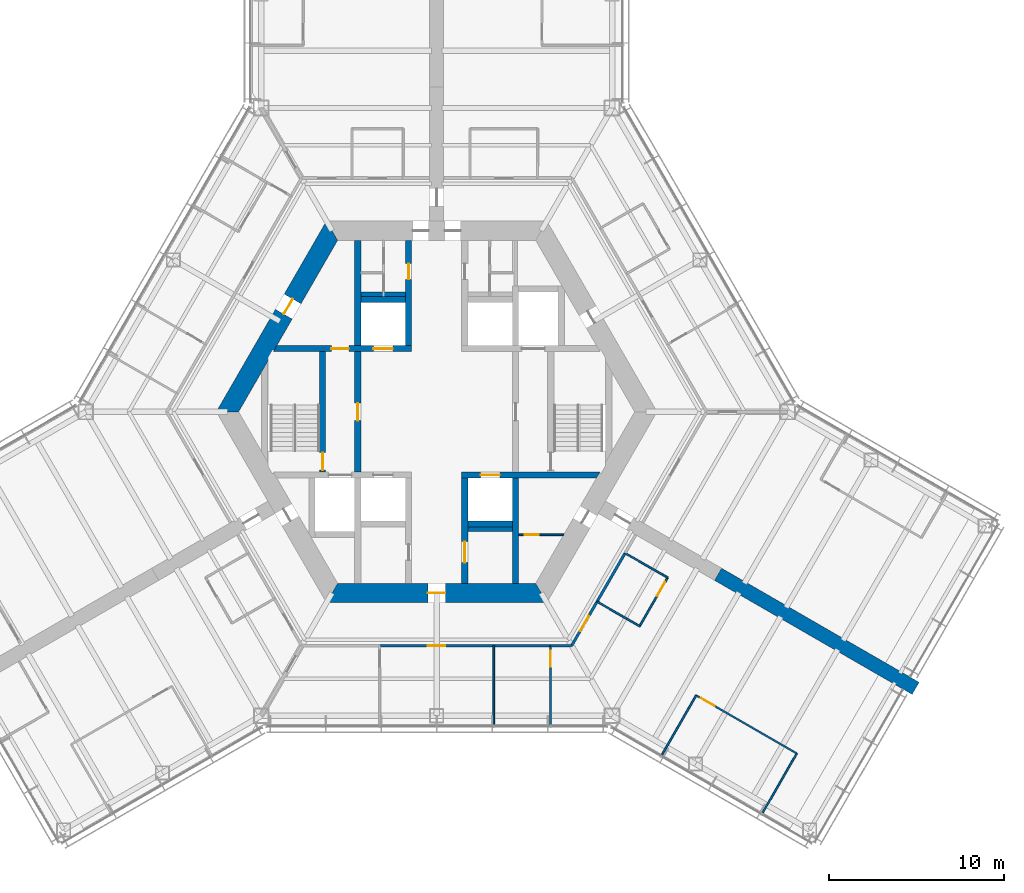
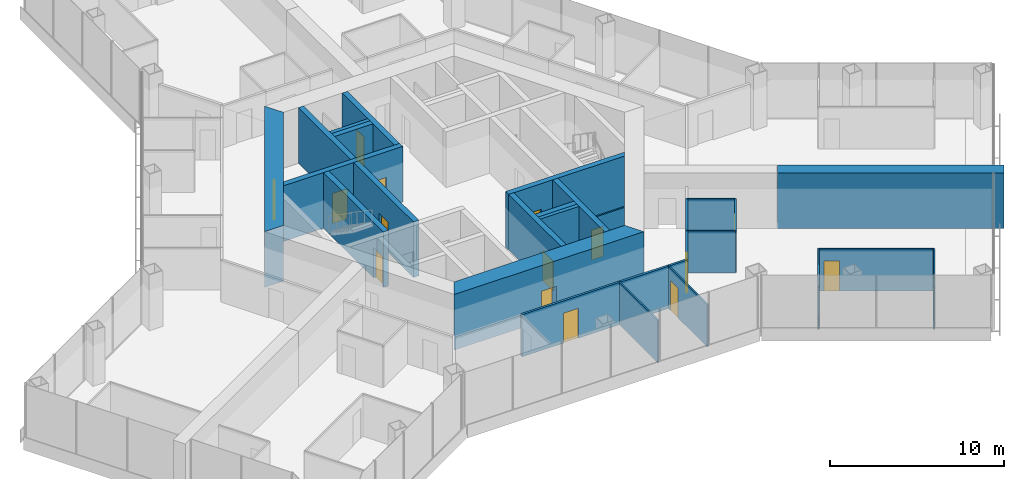
# One storey, part 13 of 19: 29 walls, 15 doors, 15 openings.
"""IFC4 building model written with IfcOpenShell, lengths in metres."""

from ifc_helpers import new_model, si_unit, direction, frame, frame_2d, origin, place, context, subcontext, project, spatial, polyline, rectangle, outline, extrude, material, layer, layer_set, type_object, element, fill, save


model = new_model("IFC4")

# Units and contexts
model_context = context("Model", 3, precision=1e-05, world=origin(), true_north=direction((0.0, 1.0)))
body_context = subcontext(model_context, "Body", "Model", "MODEL_VIEW")
ifc_project = project(units=[si_unit("LENGTHUNIT", "METRE"), si_unit("AREAUNIT", "SQUARE_METRE"), si_unit("VOLUMEUNIT", "CUBIC_METRE"), si_unit("PLANEANGLEUNIT", "RADIAN"), si_unit("MASSUNIT", "GRAM", prefix="KILO")], contexts=[model_context])

# Site, building, storey
site_placement = place(None, origin())
site = spatial("IfcSite", under=ifc_project, at=site_placement, CompositionType="ELEMENT")
building_placement = place(site_placement, origin())
building = spatial("IfcBuilding", under=site, at=building_placement, Name="Kasaneha Research Tower", CompositionType="ELEMENT")
storey_placement = place(building_placement, frame((0.0, 0.0, 88.5)))
storey = spatial("IfcBuildingStorey", under=building, at=storey_placement, Name="L22", CompositionType="ELEMENT", Elevation=88.5)

# Wall, openings, doors
ifc_material_1 = material(Name="Concrete Fc80", Category="concrete")
ifc_layer_1 = layer(ifc_material_1, 0.35009765625)
ifc_layer_set_1 = layer_set([ifc_layer_1], Name="Core internal wall 350 Fc80")
wall_type_1 = type_object("IfcWallType", Name="Core internal wall 350 Fc80", PredefinedType="SHEAR", material=ifc_layer_set_1)
wall_1_placement = place(storey_placement, frame((-9.208740234375, 3.60009765625, 0.0), z_axis=(0.0, 0.0, 1.0), x_axis=(1.0, 0.0, 0.0)))
wall_1 = element("IfcWall", 1, at=wall_1_placement, inside=storey, type_object=wall_type_1, Name="Core wall W1W L22", PredefinedType="SHEAR", context=body_context, shape_type="SweptSolid", body=[
    extrude(outline(polyline([(-0.10107421875, -0.175048828125), (3.208740234375, -0.175048828125), (4.208740234375, -0.175048828125), (5.608642578125, -0.175048828125), (6.708740234375, -0.175048828125), (7.78369140625, -0.175048828125), (7.78369140625, 0.175048828125), (6.708740234375, 0.175048828125), (5.608642578125, 0.175048828125), (4.208740234375, 0.175048828125), (3.208740234375, 0.175048828125), (0.10107421875, 0.175048828125), (-0.10107421875, -0.175048828125)])), origin(), (0.0, 0.0, 1.0), 3.89990234375),
])
opening_1_placement = place(wall_1_placement, frame((3.208740234375, 0.0, 0.0)))
opening_1 = element("IfcOpeningElement", 2, at=opening_1_placement, cuts=wall_1, Name="Opening L22-D12", PredefinedType="OPENING", context=body_context, shape_type="SweptSolid", body=[
    extrude(rectangle(XDim=1.0, YDim=2.10009765625, at=frame_2d((0.5, 1.050048828125))), frame((0.0, 0.18505859375, 0.0), z_axis=(0.0, -1.0, 0.0), x_axis=(1.0, 0.0, 0.0)), (0.0, 0.0, 1.0), 0.3701171875),
])
opening_2_placement = place(wall_1_placement, frame((5.608642578125, 0.0, 0.0)))
opening_2 = element("IfcOpeningElement", 3, at=opening_2_placement, cuts=wall_1, Name="Opening LD-LO1-L22", PredefinedType="OPENING", context=body_context, shape_type="SweptSolid", body=[
    extrude(rectangle(XDim=1.10009765625, YDim=2.10009765625, at=frame_2d((0.550048828125, 1.050048828125))), frame((0.0, 0.18505859375, 0.0), z_axis=(0.0, -1.0, 0.0), x_axis=(1.0, 0.0, 0.0)), (0.0, 0.0, 1.0), 0.3701171875),
])
ifc_material_2 = material(Name="Steel", Category="steel")
door_type_1 = type_object("IfcDoorType", Name="Lift landing door 1100x2100", OperationType="DOUBLE_DOOR_SLIDING", PredefinedType="DOOR", material=ifc_material_2)
door_1_placement = place(opening_2_placement, origin())
door_1 = element("IfcDoor", 4, at=door_1_placement, inside=storey, type_object=door_type_1, Name="Landing door LO1 LD-LO1-L22", OperationType="DOUBLE_DOOR_SLIDING", OverallHeight=2.10009765625, OverallWidth=1.10009765625, PredefinedType="DOOR", context=body_context, shape_type="SweptSolid", body=[
    extrude(rectangle(XDim=1.10009765625, YDim=2.10009765625, at=frame_2d((0.550048828125, 1.050048828125))), frame((0.0, 0.02490234375, 0.0), z_axis=(0.0, -1.0, 0.0), x_axis=(1.0, 0.0, 0.0)), (0.0, 0.0, 1.0), 0.050048828125),
])
fill(opening_2, door_1)
ifc_material_3 = material(Name="Steel", Category="steel")
door_type_2 = type_object("IfcDoorType", Name="Specified fire door FD60 1000x2100", OperationType="NOTDEFINED", PredefinedType="DOOR", material=ifc_material_3)
door_2_placement = place(opening_1_placement, origin())
door_2 = element("IfcDoor", 5, at=door_2_placement, inside=storey, type_object=door_type_2, Name="Vestibule to lobby door L22-D12", OperationType="SINGLE_SWING_RIGHT", OverallHeight=2.10009765625, OverallWidth=1.0, PredefinedType="DOOR", context=body_context, shape_type="SweptSolid", body=[
    extrude(rectangle(XDim=1.0, YDim=2.10009765625, at=frame_2d((0.5, 1.050048828125))), frame((0.0, 0.02490234375, 0.0), z_axis=(0.0, -1.0, 0.0), x_axis=(1.0, 0.0, 0.0)), (0.0, 0.0, 1.0), 0.050048828125),
])
fill(opening_1, door_2)

# Wall, opening, door
wall_2_placement = place(storey_placement, frame((1.425048828125, -3.60009765625, 0.0), z_axis=(0.0, 0.0, 1.0), x_axis=(1.0, 0.0, 0.0)))
wall_2 = element("IfcWall", 6, at=wall_2_placement, inside=storey, type_object=wall_type_1, Name="Core wall W2E L22", PredefinedType="SHEAR", context=body_context, shape_type="SweptSolid", body=[
    extrude(outline(polyline([(0.0, -0.175048828125), (1.074951171875, -0.175048828125), (2.175048828125, -0.175048828125), (7.6826171875, -0.175048828125), (7.884765625, 0.175048828125), (2.175048828125, 0.175048828125), (1.074951171875, 0.175048828125), (0.0, 0.175048828125), (0.0, -0.175048828125)])), origin(), (0.0, 0.0, 1.0), 3.89990234375),
])
opening_3_placement = place(wall_2_placement, frame((1.074951171875, 0.0, 0.0)))
opening_3 = element("IfcOpeningElement", 7, at=opening_3_placement, cuts=wall_2, Name="Opening LD-LO3-L22", PredefinedType="OPENING", context=body_context, shape_type="SweptSolid", body=[
    extrude(rectangle(XDim=1.10009765625, YDim=2.10009765625, at=frame_2d((0.550048828125, 1.050048828125))), frame((0.0, 0.18505859375, 0.0), z_axis=(0.0, -1.0, 0.0), x_axis=(1.0, 0.0, 0.0)), (0.0, 0.0, 1.0), 0.3701171875),
])
door_3_placement = place(opening_3_placement, origin())
door_3 = element("IfcDoor", 8, at=door_3_placement, inside=storey, type_object=door_type_1, Name="Landing door LO3 LD-LO3-L22", OperationType="DOUBLE_DOOR_SLIDING", OverallHeight=2.10009765625, OverallWidth=1.10009765625, PredefinedType="DOOR", context=body_context, shape_type="SweptSolid", body=[
    extrude(rectangle(XDim=1.10009765625, YDim=2.10009765625, at=frame_2d((0.550048828125, 1.050048828125))), frame((0.0, 0.02490234375, 0.0), z_axis=(0.0, -1.0, 0.0), x_axis=(1.0, 0.0, 0.0)), (0.0, 0.0, 1.0), 0.050048828125),
])
fill(opening_3, door_3)

wall_3_placement = place(storey_placement, frame((-1.60009765625, 3.77490234375, 0.0), z_axis=(0.0, 0.0, 1.0), x_axis=(0.0, 1.0, 0.0)))
wall_3 = element("IfcWall", 9, at=wall_3_placement, inside=storey, type_object=wall_type_1, Name="Core wall CNW L22", PredefinedType="SHEAR", context=body_context, shape_type="SweptSolid", body=[
    extrude(rectangle(XDim=6.0, YDim=0.35009765625, at=frame_2d((3.0, 0.0))), origin(), (0.0, 0.0, 1.0), 3.89990234375),
])
opening_4_placement = place(wall_3_placement, frame((3.77490234375, 0.0, 0.0)))
opening_4 = element("IfcOpeningElement", 10, at=opening_4_placement, cuts=wall_3, Name="Opening L22-D13", PredefinedType="OPENING", context=body_context, shape_type="SweptSolid", body=[
    extrude(rectangle(XDim=0.89990234375, YDim=2.10009765625, at=frame_2d((0.449951171875, 1.050048828125))), frame((0.0, 0.18505859375, 0.0), z_axis=(0.0, -1.0, 0.0), x_axis=(1.0, 0.0, 0.0)), (0.0, 0.0, 1.0), 0.3701171875),
])
ifc_material_4 = material(Name="Steel", Category="steel")
door_type_3 = type_object("IfcDoorType", Name="Toilet door FD20 900x2100", OperationType="NOTDEFINED", PredefinedType="DOOR", material=ifc_material_4)
door_4_placement = place(opening_4_placement, origin())
door_4 = element("IfcDoor", 11, at=door_4_placement, inside=storey, type_object=door_type_3, Name="Men's WC door L22-D13", OperationType="SINGLE_SWING_LEFT", OverallHeight=2.10009765625, OverallWidth=0.89990234375, PredefinedType="DOOR", context=body_context, shape_type="SweptSolid", body=[
    extrude(rectangle(XDim=0.89990234375, YDim=2.10009765625, at=frame_2d((0.449951171875, 1.050048828125))), frame((0.0, 0.02490234375, 0.0), z_axis=(0.0, -1.0, 0.0), x_axis=(1.0, 0.0, 0.0)), (0.0, 0.0, 1.0), 0.050048828125),
])
fill(opening_4, door_4)

wall_4_placement = place(storey_placement, frame((1.60009765625, -3.77490234375, 0.0), z_axis=(0.0, 0.0, 1.0), x_axis=(0.0, -1.0, 0.0)))
wall_4 = element("IfcWall", 12, at=wall_4_placement, inside=storey, type_object=wall_type_1, Name="Core wall CSE L22", PredefinedType="SHEAR", context=body_context, shape_type="SweptSolid", body=[
    extrude(rectangle(XDim=6.0, YDim=0.35009765625, at=frame_2d((3.0, 0.0))), origin(), (0.0, 0.0, 1.0), 3.89990234375),
])
opening_5_placement = place(wall_4_placement, frame((3.625, 0.0, 0.0)))
opening_5 = element("IfcOpeningElement", 13, at=opening_5_placement, cuts=wall_4, Name="Opening L22-D15", PredefinedType="OPENING", context=body_context, shape_type="SweptSolid", body=[
    extrude(rectangle(XDim=1.199951171875, YDim=2.10009765625, at=frame_2d((0.60009765625, 1.050048828125))), frame((0.0, 0.18505859375, 0.0), z_axis=(0.0, -1.0, 0.0), x_axis=(1.0, 0.0, 0.0)), (0.0, 0.0, 1.0), 0.3701171875),
])
ifc_material_5 = material(Name="Steel", Category="steel")
door_type_4 = type_object("IfcDoorType", Name="Accessible toilet sliding door FD20 1200x2100", OperationType="SLIDING_TO_LEFT", PredefinedType="DOOR", material=ifc_material_5)
door_5_placement = place(opening_5_placement, origin())
door_5 = element("IfcDoor", 14, at=door_5_placement, inside=storey, type_object=door_type_4, Name="Accessible WC door L22-D15", OperationType="SLIDING_TO_LEFT", OverallHeight=2.10009765625, OverallWidth=1.199951171875, PredefinedType="DOOR", context=body_context, shape_type="SweptSolid", body=[
    extrude(rectangle(XDim=1.199951171875, YDim=2.10009765625, at=frame_2d((0.60009765625, 1.050048828125))), frame((0.0, 0.02490234375, 0.0), z_axis=(0.0, -1.0, 0.0), x_axis=(1.0, 0.0, 0.0)), (0.0, 0.0, 1.0), 0.050048828125),
])
fill(opening_5, door_5)

wall_5_placement = place(storey_placement, frame((-4.5, -3.425048828125, 0.0), z_axis=(0.0, 0.0, 1.0), x_axis=(0.0, 1.0, 0.0)))
wall_5 = element("IfcWall", 15, at=wall_5_placement, inside=storey, type_object=wall_type_1, Name="Core wall LBW L22", PredefinedType="SHEAR", context=body_context, shape_type="SweptSolid", body=[
    extrude(rectangle(XDim=6.85009765625, YDim=0.35009765625, at=frame_2d((3.425048828125, 0.0))), origin(), (0.0, 0.0, 1.0), 3.89990234375),
])
opening_6_placement = place(wall_5_placement, frame((2.925048828125, 0.0, 0.0)))
opening_6 = element("IfcOpeningElement", 16, at=opening_6_placement, cuts=wall_5, Name="Opening L22-D09", PredefinedType="OPENING", context=body_context, shape_type="SweptSolid", body=[
    extrude(rectangle(XDim=1.0, YDim=2.10009765625, at=frame_2d((0.5, 1.050048828125))), frame((0.0, 0.18505859375, 0.0), z_axis=(0.0, -1.0, 0.0), x_axis=(1.0, 0.0, 0.0)), (0.0, 0.0, 1.0), 0.3701171875),
])
door_6_placement = place(opening_6_placement, origin())
door_6 = element("IfcDoor", 17, at=door_6_placement, inside=storey, type_object=door_type_2, Name="Lift lobby door west L22-D09", OperationType="SINGLE_SWING_LEFT", OverallHeight=2.10009765625, OverallWidth=1.0, PredefinedType="DOOR", context=body_context, shape_type="SweptSolid", body=[
    extrude(rectangle(XDim=1.0, YDim=2.10009765625, at=frame_2d((0.5, 1.050048828125))), frame((0.0, 0.02490234375, 0.0), z_axis=(0.0, -1.0, 0.0), x_axis=(1.0, 0.0, 0.0)), (0.0, 0.0, 1.0), 0.050048828125),
])
fill(opening_6, door_6)

wall_6_placement = place(storey_placement, frame((-6.5, -3.425048828125, 0.0), z_axis=(0.0, 0.0, 1.0), x_axis=(0.0, 1.0, 0.0)))
wall_6 = element("IfcWall", 18, at=wall_6_placement, inside=storey, type_object=wall_type_1, Name="Core wall ANW L22", PredefinedType="SHEAR", context=body_context, shape_type="SweptSolid", body=[
    extrude(rectangle(XDim=6.85009765625, YDim=0.35009765625, at=frame_2d((3.425048828125, 0.0))), origin(), (0.0, 0.0, 1.0), 3.89990234375),
])
opening_7_placement = place(wall_6_placement, frame((0.10009765625, 0.0, 0.0)))
opening_7 = element("IfcOpeningElement", 19, at=opening_7_placement, cuts=wall_6, Name="Opening L22-D11", PredefinedType="OPENING", context=body_context, shape_type="SweptSolid", body=[
    extrude(rectangle(XDim=1.0, YDim=2.10009765625, at=frame_2d((0.5, 1.050048828125))), frame((0.0, 0.18505859375, 0.0), z_axis=(0.0, -1.0, 0.0), x_axis=(1.0, 0.0, 0.0)), (0.0, 0.0, 1.0), 0.3701171875),
])
door_7_placement = place(opening_7_placement, origin())
door_7 = element("IfcDoor", 20, at=door_7_placement, inside=storey, type_object=door_type_2, Name="Stair 2 door L22-D11", OperationType="SINGLE_SWING_LEFT", OverallHeight=2.10009765625, OverallWidth=1.0, PredefinedType="DOOR", context=body_context, shape_type="SweptSolid", body=[
    extrude(rectangle(XDim=1.0, YDim=2.10009765625, at=frame_2d((0.5, 1.050048828125))), frame((0.0, 0.02490234375, 0.0), z_axis=(0.0, -1.0, 0.0), x_axis=(1.0, 0.0, 0.0)), (0.0, 0.0, 1.0), 0.050048828125),
])
fill(opening_7, door_7)

# Walls
for number, where, z_axis, x_axis, name in (
    (21, (-4.5, 3.77490234375, 0.0), (0.0, 0.0, 1.0), (0.0, 1.0, 0.0), "Core wall VNW L22"),
    (22, (4.5, -3.77490234375, 0.0), (0.0, 0.0, 1.0), (0.0, -1.0, 0.0), "Core wall SSE L22"),
):
    element("IfcWall", number, at=place(storey_placement, frame(where, z_axis=z_axis, x_axis=x_axis)), inside=storey, type_object=wall_type_1, Name=name, PredefinedType="SHEAR", context=body_context, shape_type="SweptSolid", body=[
        extrude(rectangle(XDim=6.0, YDim=0.35009765625, at=frame_2d((3.0, 0.0))), origin(), (0.0, 0.0, 1.0), 3.89990234375),
    ])
for number, where, z_axis, x_axis, name in (
    (23, (-4.324951171875, 6.39990234375, 0.0), (0.0, 0.0, 1.0), (1.0, 0.0, 0.0), "Core wall N1N L22"),
    (24, (1.77490234375, -6.39990234375, 0.0), (0.0, 0.0, 1.0), (1.0, 0.0, 0.0), "Core wall S3S L22"),
):
    element("IfcWall", number, at=place(storey_placement, frame(where, z_axis=z_axis, x_axis=x_axis)), inside=storey, type_object=wall_type_1, Name=name, PredefinedType="SHEAR", context=body_context, shape_type="SweptSolid", body=[
        extrude(rectangle(XDim=2.550048828125, YDim=0.35009765625, at=frame_2d((1.27490234375, 0.0))), origin(), (0.0, 0.0, 1.0), 3.89990234375),
    ])

# Wall, opening, door
ifc_material_6 = material(Name="Concrete Fc80", Category="concrete")
ifc_layer_2 = layer(ifc_material_6, 1.10009765625)
ifc_layer_set_2 = layer_set([ifc_layer_2], Name="Core wall 1100 Fc80")
wall_type_2 = type_object("IfcWallType", Name="Core wall 1100 Fc80", PredefinedType="SHEAR", material=ifc_layer_set_2)
wall_7_placement = place(storey_placement, frame((-5.961181640625, 10.324951171875, 0.0), z_axis=(0.0, 0.0, 1.0), x_axis=(-0.500004296715, -0.866022923061, 0.0)))
wall_7 = element("IfcWall", 25, at=wall_7_placement, inside=storey, type_object=wall_type_2, Name="Core wall 150 L22", PredefinedType="SHEAR", context=body_context, shape_type="SweptSolid", body=[
    extrude(outline(polyline([(-0.317626953125, -0.550048828125), (4.494140625, -0.550048828125), (5.494140625, -0.550048828125), (12.239990234375, -0.550048828125), (11.604736328125, 0.550048828125), (5.494140625, 0.550048828125), (4.494140625, 0.550048828125), (0.317626953125, 0.550048828125), (-0.317626953125, -0.550048828125)])), origin(), (0.0, 0.0, 1.0), 3.89990234375),
])
opening_8_placement = place(wall_7_placement, frame((4.494140625, 0.0, 0.0)))
opening_8 = element("IfcOpeningElement", 26, at=opening_8_placement, cuts=wall_7, Name="Opening L22-D07", PredefinedType="OPENING", context=body_context, shape_type="SweptSolid", body=[
    extrude(rectangle(XDim=1.0, YDim=2.10009765625, at=frame_2d((0.5, 1.050048828125))), frame((0.0, 0.56005859375, 0.0), z_axis=(0.0, -1.0, 0.0), x_axis=(1.0, 0.0, 0.0)), (0.0, 0.0, 1.0), 1.1201171875),
])
ifc_material_7 = material(Name="Steel", Category="steel")
door_type_5 = type_object("IfcDoorType", Name="Fire door FD20 1000x2100", OperationType="NOTDEFINED", PredefinedType="DOOR", material=ifc_material_7)
door_8_placement = place(opening_8_placement, origin())
door_8 = element("IfcDoor", 27, at=door_8_placement, inside=storey, type_object=door_type_5, Name="Vestibule door L22-D07", OperationType="SINGLE_SWING_LEFT", OverallHeight=2.10009765625, OverallWidth=1.0, PredefinedType="DOOR", context=body_context, shape_type="SweptSolid", body=[
    extrude(rectangle(XDim=1.0, YDim=2.10009765625, at=frame_2d((0.5, 1.050048828125))), frame((0.0, 0.02490234375, 0.0), z_axis=(0.0, -1.0, 0.0), x_axis=(1.0, 0.0, 0.0)), (0.0, 0.0, 1.0), 0.050048828125),
])
fill(opening_8, door_8)

wall_8_placement = place(storey_placement, frame((-5.961181640625, -10.324951171875, 0.0), z_axis=(0.0, 0.0, 1.0), x_axis=(1.0, 0.0, 0.0)))
wall_8 = element("IfcWall", 28, at=wall_8_placement, inside=storey, type_object=wall_type_2, Name="Core wall 270 L22", PredefinedType="SHEAR", context=body_context, shape_type="SweptSolid", body=[
    extrude(outline(polyline([(-0.317626953125, -0.550048828125), (5.461181640625, -0.550048828125), (6.461181640625, -0.550048828125), (12.239990234375, -0.550048828125), (11.604736328125, 0.550048828125), (6.461181640625, 0.550048828125), (5.461181640625, 0.550048828125), (0.317626953125, 0.550048828125), (-0.317626953125, -0.550048828125)])), origin(), (0.0, 0.0, 1.0), 3.89990234375),
])
opening_9_placement = place(wall_8_placement, frame((5.461181640625, 0.0, 0.0)))
opening_9 = element("IfcOpeningElement", 29, at=opening_9_placement, cuts=wall_8, Name="Opening L22-D03", PredefinedType="OPENING", context=body_context, shape_type="SweptSolid", body=[
    extrude(rectangle(XDim=1.0, YDim=2.10009765625, at=frame_2d((0.5, 1.050048828125))), frame((0.0, 0.56005859375, 0.0), z_axis=(0.0, -1.0, 0.0), x_axis=(1.0, 0.0, 0.0)), (0.0, 0.0, 1.0), 1.1201171875),
])
door_9_placement = place(opening_9_placement, origin())
door_9 = element("IfcDoor", 30, at=door_9_placement, inside=storey, type_object=door_type_5, Name="Core door south L22-D03", OperationType="SINGLE_SWING_LEFT", OverallHeight=2.10009765625, OverallWidth=1.0, PredefinedType="DOOR", context=body_context, shape_type="SweptSolid", body=[
    extrude(rectangle(XDim=1.0, YDim=2.10009765625, at=frame_2d((0.5, 1.050048828125))), frame((0.0, 0.02490234375, 0.0), z_axis=(0.0, -1.0, 0.0), x_axis=(1.0, 0.0, 0.0)), (0.0, 0.0, 1.0), 0.050048828125),
])
fill(opening_9, door_9)

ifc_material_8 = material(Name="Gypsum board on steel studs, one layer each side", Category="steel")
ifc_layer_3 = layer(ifc_material_8, 0.10009765625)
ifc_layer_set_3 = layer_set([ifc_layer_3], Name="Office partition 100")
wall_type_3 = type_object("IfcWallType", Name="Office partition 100", PredefinedType="PARTITIONING", material=ifc_layer_set_3)
wall_9_placement = place(storey_placement, frame((4.675048828125, -7.0, 0.0), z_axis=(0.0, 0.0, 1.0), x_axis=(1.0, 0.0, 0.0)))
wall_9 = element("IfcWall", 31, at=wall_9_placement, inside=storey, type_object=wall_type_3, Name="Office partition RS-SE L22", PredefinedType="PARTITIONING", context=body_context, shape_type="SweptSolid", body=[
    extrude(outline(polyline([(0.0, -0.050048828125), (0.35009765625, -0.050048828125), (1.150146484375, -0.050048828125), (2.5419921875, -0.050048828125), (2.57080078125, 0.0), (2.57666015625, 0.050048828125), (1.150146484375, 0.050048828125), (0.35009765625, 0.050048828125), (0.0, 0.050048828125), (0.0, -0.050048828125)])), origin(), (0.0, 0.0, 1.0), 2.949951171875),
])
opening_10_placement = place(wall_9_placement, frame((0.35009765625, 0.0, 0.0)))
opening_10 = element("IfcOpeningElement", 32, at=opening_10_placement, cuts=wall_9, Name="Opening L22-D24", PredefinedType="OPENING", context=body_context, shape_type="SweptSolid", body=[
    extrude(rectangle(XDim=0.800048828125, YDim=2.10009765625, at=frame_2d((0.39990234375, 1.050048828125))), frame((0.0, 0.06005859375, 0.0), z_axis=(0.0, -1.0, 0.0), x_axis=(1.0, 0.0, 0.0)), (0.0, 0.0, 1.0), 0.1201171875),
])
ifc_material_9 = material(Name="Steel", Category="steel")
door_type_6 = type_object("IfcDoorType", Name="Riser access door FD60 800x2100", OperationType="NOTDEFINED", PredefinedType="DOOR", material=ifc_material_9)
door_10_placement = place(opening_10_placement, origin())
door_10 = element("IfcDoor", 33, at=door_10_placement, inside=storey, type_object=door_type_6, Name="Drainage riser door L22-D24", OperationType="SINGLE_SWING_LEFT", OverallHeight=2.10009765625, OverallWidth=0.800048828125, PredefinedType="DOOR", context=body_context, shape_type="SweptSolid", body=[
    extrude(rectangle(XDim=0.800048828125, YDim=2.10009765625, at=frame_2d((0.39990234375, 1.050048828125))), frame((0.0, 0.02490234375, 0.0), z_axis=(0.0, -1.0, 0.0), x_axis=(1.0, 0.0, 0.0)), (0.0, 0.0, 1.0), 0.050048828125),
])
fill(opening_10, door_10)

# Walls
for number, where, z_axis, x_axis, name in (
    (34, (10.737548828125, -8.052001953125, 0.0), (0.0, 0.0, 1.0), (0.866855433567, -0.498559582492, 0.0), "Office partition FCS08 L22"),
    (35, (11.564697265625, -12.219482421875, 0.0), (0.0, 0.0, 1.0), (-0.865195372903, 0.501434907746, 0.0), "Office partition FCS09 L22"),
):
    element("IfcWall", number, at=place(storey_placement, frame(where, z_axis=z_axis, x_axis=x_axis)), inside=storey, type_object=wall_type_3, Name=name, PredefinedType="PARTITIONING", context=body_context, shape_type="SweptSolid", body=[
        extrude(rectangle(XDim=2.800048828125, YDim=0.10009765625, at=frame_2d((1.39990234375, 0.0))), origin(), (0.0, 0.0, 1.0), 2.949951171875),
    ])

# Wall, opening, door
wall_10_placement = place(storey_placement, frame((13.164794921875, -9.447998046875, 0.0), z_axis=(0.0, 0.0, 1.0), x_axis=(-0.499995408039, -0.866028054938, 0.0)))
wall_10 = element("IfcWall", 36, at=wall_10_placement, inside=storey, type_object=wall_type_3, Name="Office partition FCS10 L22", PredefinedType="PARTITIONING", context=body_context, shape_type="SweptSolid", body=[
    extrude(rectangle(XDim=3.2001953125, YDim=0.10009765625, at=frame_2d((1.60009765625, 0.0))), origin(), (0.0, 0.0, 1.0), 2.949951171875),
])
opening_11_placement = place(wall_10_placement, frame((0.300048828125, 0.0, 0.0)))
opening_11 = element("IfcOpeningElement", 37, at=opening_11_placement, cuts=wall_10, Name="Opening L22-D53", PredefinedType="OPENING", context=body_context, shape_type="SweptSolid", body=[
    extrude(rectangle(XDim=0.89990234375, YDim=2.10009765625, at=frame_2d((0.449951171875, 1.050048828125))), frame((0.0, 0.06005859375, 0.0), z_axis=(0.0, -1.0, 0.0), x_axis=(1.0, 0.0, 0.0)), (0.0, 0.0, 1.0), 0.1201171875),
])
ifc_material_10 = material(Name="Timber veneer", Category="wood")
door_type_7 = type_object("IfcDoorType", Name="Office door 900x2100", OperationType="SINGLE_SWING_LEFT", PredefinedType="DOOR", material=ifc_material_10)
door_11_placement = place(opening_11_placement, origin())
door_11 = element("IfcDoor", 38, at=door_11_placement, inside=storey, type_object=door_type_7, Name="Pantry door L22-D53", OperationType="SINGLE_SWING_LEFT", OverallHeight=2.10009765625, OverallWidth=0.89990234375, PredefinedType="DOOR", context=body_context, shape_type="SweptSolid", body=[
    extrude(rectangle(XDim=0.89990234375, YDim=2.10009765625, at=frame_2d((0.449951171875, 1.050048828125))), frame((0.0, 0.02490234375, 0.0), z_axis=(0.0, -1.0, 0.0), x_axis=(1.0, 0.0, 0.0)), (0.0, 0.0, 1.0), 0.050048828125),
])
fill(opening_11, door_11)

wall_11_placement = place(storey_placement, frame((6.48828125, -13.324951171875, 0.0), z_axis=(0.0, 0.0, 1.0), x_axis=(0.001026139015, -0.999999473519, 0.0)))
wall_11 = element("IfcWall", 39, at=wall_11_placement, inside=storey, type_object=wall_type_3, Name="Office partition FCS12 L22", PredefinedType="PARTITIONING", context=body_context, shape_type="SweptSolid", body=[
    extrude(rectangle(XDim=4.5205078125, YDim=0.10009765625, at=frame_2d((2.26025390625, 0.0))), origin(), (0.0, 0.0, 1.0), 2.949951171875),
])
opening_12_placement = place(wall_11_placement, frame((0.300048828125, 0.0, 0.0)))
opening_12 = element("IfcOpeningElement", 40, at=opening_12_placement, cuts=wall_11, Name="Opening L22-D55", PredefinedType="OPENING", context=body_context, shape_type="SweptSolid", body=[
    extrude(rectangle(XDim=0.89990234375, YDim=2.10009765625, at=frame_2d((0.449951171875, 1.050048828125))), frame((0.0, 0.06005859375, 0.0), z_axis=(0.0, -1.0, 0.0), x_axis=(1.0, 0.0, 0.0)), (0.0, 0.0, 1.0), 0.1201171875),
])
door_12_placement = place(opening_12_placement, origin())
door_12 = element("IfcDoor", 41, at=door_12_placement, inside=storey, type_object=door_type_7, Name="Manager's office door L22-D55", OperationType="SINGLE_SWING_LEFT", OverallHeight=2.10009765625, OverallWidth=0.89990234375, PredefinedType="DOOR", context=body_context, shape_type="SweptSolid", body=[
    extrude(rectangle(XDim=0.89990234375, YDim=2.10009765625, at=frame_2d((0.449951171875, 1.050048828125))), frame((0.0, 0.02490234375, 0.0), z_axis=(0.0, -1.0, 0.0), x_axis=(1.0, 0.0, 0.0)), (0.0, 0.0, 1.0), 0.050048828125),
])
fill(opening_12, door_12)

# Walls
wall_12_placement = place(storey_placement, frame((3.246337890625, -17.800537109375, 0.0), z_axis=(0.0, 0.0, 1.0), x_axis=(0.001036438457, 0.999999462898, 0.0)))
element("IfcWall", 42, at=wall_12_placement, inside=storey, type_object=wall_type_3, Name="Office partition FCS13 L22", PredefinedType="PARTITIONING", context=body_context, shape_type="SweptSolid", body=[
    extrude(rectangle(XDim=4.4755859375, YDim=0.10009765625, at=frame_2d((2.23779296875, 0.0))), origin(), (0.0, 0.0, 1.0), 2.949951171875),
])
wall_13_placement = place(storey_placement, frame((12.84228515625, -19.538818359375, 0.0), z_axis=(0.0, 0.0, 1.0), x_axis=(0.499997012787, 0.866027128446, 0.0)))
element("IfcWall", 43, at=wall_13_placement, inside=storey, type_object=wall_type_3, Name="Office partition FCS14 L22", PredefinedType="PARTITIONING", context=body_context, shape_type="SweptSolid", body=[
    extrude(rectangle(XDim=3.89990234375, YDim=0.10009765625, at=frame_2d((1.949951171875, 0.0))), origin(), (0.0, 0.0, 1.0), 2.949951171875),
])

# Wall, opening, door
wall_14_placement = place(storey_placement, frame((14.792236328125, -16.161376953125, 0.0), z_axis=(0.0, 0.0, 1.0), x_axis=(0.866021597574, -0.500006592492, 0.0)))
wall_14 = element("IfcWall", 44, at=wall_14_placement, inside=storey, type_object=wall_type_3, Name="Office partition FCS15 L22", PredefinedType="PARTITIONING", context=body_context, shape_type="SweptSolid", body=[
    extrude(rectangle(XDim=6.61962890625, YDim=0.10009765625, at=frame_2d((3.309814453125, 0.0))), origin(), (0.0, 0.0, 1.0), 2.949951171875),
])
opening_13_placement = place(wall_14_placement, frame((0.300048828125, 0.0, 0.0)))
opening_13 = element("IfcOpeningElement", 45, at=opening_13_placement, cuts=wall_14, Name="Opening L22-D56", PredefinedType="OPENING", context=body_context, shape_type="SweptSolid", body=[
    extrude(rectangle(XDim=0.89990234375, YDim=2.10009765625, at=frame_2d((0.449951171875, 1.050048828125))), frame((0.0, 0.06005859375, 0.0), z_axis=(0.0, -1.0, 0.0), x_axis=(1.0, 0.0, 0.0)), (0.0, 0.0, 1.0), 0.1201171875),
])
door_13_placement = place(opening_13_placement, origin())
door_13 = element("IfcDoor", 46, at=door_13_placement, inside=storey, type_object=door_type_7, Name="Manager's office door L22-D56", OperationType="SINGLE_SWING_LEFT", OverallHeight=2.10009765625, OverallWidth=0.89990234375, PredefinedType="DOOR", context=body_context, shape_type="SweptSolid", body=[
    extrude(rectangle(XDim=0.89990234375, YDim=2.10009765625, at=frame_2d((0.449951171875, 1.050048828125))), frame((0.0, 0.02490234375, 0.0), z_axis=(0.0, -1.0, 0.0), x_axis=(1.0, 0.0, 0.0)), (0.0, 0.0, 1.0), 0.050048828125),
])
fill(opening_13, door_13)

# Walls
wall_15_placement = place(storey_placement, frame((20.52490234375, -19.47119140625, 0.0), z_axis=(0.0, 0.0, 1.0), x_axis=(-0.499996613652, -0.866027358884, 0.0)))
element("IfcWall", 47, at=wall_15_placement, inside=storey, type_object=wall_type_3, Name="Office partition FCS16 L22", PredefinedType="PARTITIONING", context=body_context, shape_type="SweptSolid", body=[
    extrude(rectangle(XDim=3.8798828125, YDim=0.10009765625, at=frame_2d((1.93994140625, 0.0))), origin(), (0.0, 0.0, 1.0), 2.949951171875),
])
ifc_material_11 = material(Name="Concrete Fc80", Category="concrete")
ifc_layer_4 = layer(ifc_material_11, 0.800048828125)
ifc_layer_set_4 = layer_set([ifc_layer_4], Name="Spine wall 800 Fc80")
wall_type_4 = type_object("IfcWallType", Name="Spine wall 800 Fc80", PredefinedType="SHEAR", material=ifc_layer_set_4)
wall_16_placement = place(storey_placement, frame((16.039306640625, -9.26025390625, 0.0), z_axis=(0.0, 0.0, 1.0), x_axis=(0.866024837091, -0.50000098154, 0.0)))
element("IfcWall", 48, at=wall_16_placement, inside=storey, type_object=wall_type_4, Name="Spine wall C wing L22", PredefinedType="SHEAR", context=body_context, shape_type="SweptSolid", body=[
    extrude(rectangle(XDim=13.0, YDim=0.800048828125, at=frame_2d((6.5, 0.0))), origin(), (0.0, 0.0, 1.0), 3.89990234375),
])
ifc_material_12 = material(Name="Gypsum board on steel studs, two layers each side", Category="steel")
ifc_layer_5 = layer(ifc_material_12, 0.14990234375)
ifc_layer_set_5 = layer_set([ifc_layer_5], Name="Suite partition 150")
wall_type_5 = type_object("IfcWallType", Name="Suite partition 150", PredefinedType="PARTITIONING", material=ifc_layer_set_5)
wall_17_placement = place(storey_placement, frame((10.7421875, -8.043701171875, 0.0), z_axis=(0.0, 0.0, 1.0), x_axis=(-0.499983599745, -0.866034872269, 0.0)))
element("IfcWall", 49, at=wall_17_placement, inside=storey, type_object=wall_type_5, Name="Suite partition FCS01 L22", PredefinedType="PARTITIONING", context=body_context, shape_type="SweptSolid", body=[
    extrude(rectangle(XDim=3.2099609375, YDim=0.14990234375, at=frame_2d((1.60498046875, 0.0))), origin(), (0.0, 0.0, 1.0), 2.949951171875),
])
wall_18_placement = place(storey_placement, frame((6.497802734375, -13.324951171875, 0.0), z_axis=(0.0, 0.0, 1.0), x_axis=(-1.0, 0.0, 0.0)))
element("IfcWall", 50, at=wall_18_placement, inside=storey, type_object=wall_type_5, Name="Suite partition FCS03 L22", PredefinedType="PARTITIONING", context=body_context, shape_type="SweptSolid", body=[
    extrude(rectangle(XDim=3.25634765625, YDim=0.14990234375, at=frame_2d((1.628173828125, 0.0))), origin(), (0.0, 0.0, 1.0), 2.949951171875),
])
wall_19_placement = place(storey_placement, frame((7.693115234375, -13.324951171875, 0.0), z_axis=(0.0, 0.0, 1.0), x_axis=(-1.0, 0.0, 0.0)))
element("IfcWall", 51, at=wall_19_placement, inside=storey, type_object=wall_type_5, Name="Suite partition FCS04 L22", PredefinedType="PARTITIONING", context=body_context, shape_type="SweptSolid", body=[
    extrude(rectangle(XDim=1.204833984375, YDim=0.14990234375, at=frame_2d((0.6025390625, 0.0))), origin(), (0.0, 0.0, 1.0), 2.949951171875),
])

# Wall, opening, door
wall_20_placement = place(storey_placement, frame((9.14208984375, -10.8154296875, 0.0), z_axis=(0.0, 0.0, 1.0), x_axis=(-0.500026322743, -0.866010205808, 0.0)))
wall_20 = element("IfcWall", 52, at=wall_20_placement, inside=storey, type_object=wall_type_5, Name="Suite partition FCS05 L22", PredefinedType="PARTITIONING", context=body_context, shape_type="SweptSolid", body=[
    extrude(rectangle(XDim=2.897705078125, YDim=0.14990234375, at=frame_2d((1.44873046875, 0.0))), origin(), (0.0, 0.0, 1.0), 2.949951171875),
])
opening_14_placement = place(wall_20_placement, frame((0.94873046875, 0.0, 0.0)))
opening_14 = element("IfcOpeningElement", 53, at=opening_14_placement, cuts=wall_20, Name="Opening L22-D51", PredefinedType="OPENING", context=body_context, shape_type="SweptSolid", body=[
    extrude(rectangle(XDim=1.0, YDim=2.10009765625, at=frame_2d((0.5, 1.050048828125))), frame((0.0, 0.0849609375, 0.0), z_axis=(0.0, -1.0, 0.0), x_axis=(1.0, 0.0, 0.0)), (0.0, 0.0, 1.0), 0.169921875),
])
ifc_material_13 = material(Name="Steel", Category="steel")
door_type_8 = type_object("IfcDoorType", Name="Suite entrance door FD60 1000x2100", OperationType="NOTDEFINED", PredefinedType="DOOR", material=ifc_material_13)
door_14_placement = place(opening_14_placement, origin())
door_14 = element("IfcDoor", 54, at=door_14_placement, inside=storey, type_object=door_type_8, Name="Suite entrance door L22-D51", OperationType="SINGLE_SWING_LEFT", OverallHeight=2.10009765625, OverallWidth=1.0, PredefinedType="DOOR", context=body_context, shape_type="SweptSolid", body=[
    extrude(rectangle(XDim=1.0, YDim=2.10009765625, at=frame_2d((0.5, 1.050048828125))), frame((0.0, 0.02490234375, 0.0), z_axis=(0.0, -1.0, 0.0), x_axis=(1.0, 0.0, 0.0)), (0.0, 0.0, 1.0), 0.050048828125),
])
fill(opening_14, door_14)

wall_21_placement = place(storey_placement, frame((3.2509765625, -13.324951171875, 0.0), z_axis=(0.0, 0.0, 1.0), x_axis=(-1.0, 0.0, 0.0)))
wall_21 = element("IfcWall", 55, at=wall_21_placement, inside=storey, type_object=wall_type_5, Name="Suite partition FCS07 L22", PredefinedType="PARTITIONING", context=body_context, shape_type="SweptSolid", body=[
    extrude(rectangle(XDim=6.501953125, YDim=0.14990234375, at=frame_2d((3.2509765625, 0.0))), origin(), (0.0, 0.0, 1.0), 2.949951171875),
])
opening_15_placement = place(wall_21_placement, frame((2.7509765625, 0.0, 0.0)))
opening_15 = element("IfcOpeningElement", 56, at=opening_15_placement, cuts=wall_21, Name="Opening L22-D52", PredefinedType="OPENING", context=body_context, shape_type="SweptSolid", body=[
    extrude(rectangle(XDim=1.0, YDim=2.10009765625, at=frame_2d((0.5, 1.050048828125))), frame((0.0, 0.0849609375, 0.0), z_axis=(0.0, -1.0, 0.0), x_axis=(1.0, 0.0, 0.0)), (0.0, 0.0, 1.0), 0.169921875),
])
door_15_placement = place(opening_15_placement, origin())
door_15 = element("IfcDoor", 57, at=door_15_placement, inside=storey, type_object=door_type_8, Name="Suite entrance door L22-D52", OperationType="SINGLE_SWING_LEFT", OverallHeight=2.10009765625, OverallWidth=1.0, PredefinedType="DOOR", context=body_context, shape_type="SweptSolid", body=[
    extrude(rectangle(XDim=1.0, YDim=2.10009765625, at=frame_2d((0.5, 1.050048828125))), frame((0.0, 0.02490234375, 0.0), z_axis=(0.0, -1.0, 0.0), x_axis=(1.0, 0.0, 0.0)), (0.0, 0.0, 1.0), 0.050048828125),
])
fill(opening_15, door_15)

# Walls
ifc_material_14 = material(Name="Concrete block lining", Category="concrete")
ifc_layer_6 = layer(ifc_material_14, 0.25)
ifc_layer_set_6 = layer_set([ifc_layer_6], Name="WC plumbing wall 250")
wall_type_6 = type_object("IfcWallType", Name="WC plumbing wall 250", PredefinedType="PLUMBINGWALL", material=ifc_layer_set_6)
for number, where, z_axis, x_axis, name in (
    (58, (-4.324951171875, 6.699951171875, 0.0), (0.0, 0.0, 1.0), (1.0, 0.0, 0.0), "WC plumbing wall M L22"),
    (59, (1.77490234375, -6.699951171875, 0.0), (0.0, 0.0, 1.0), (1.0, 0.0, 0.0), "WC plumbing wall A L22"),
):
    element("IfcWall", number, at=place(storey_placement, frame(where, z_axis=z_axis, x_axis=x_axis)), inside=storey, type_object=wall_type_6, Name=name, PredefinedType="PLUMBINGWALL", context=body_context, shape_type="SweptSolid", body=[
        extrude(rectangle(XDim=2.550048828125, YDim=0.25, at=frame_2d((1.27490234375, 0.0))), origin(), (0.0, 0.0, 1.0), 3.89990234375),
    ])

save(model, "model.ifc")
